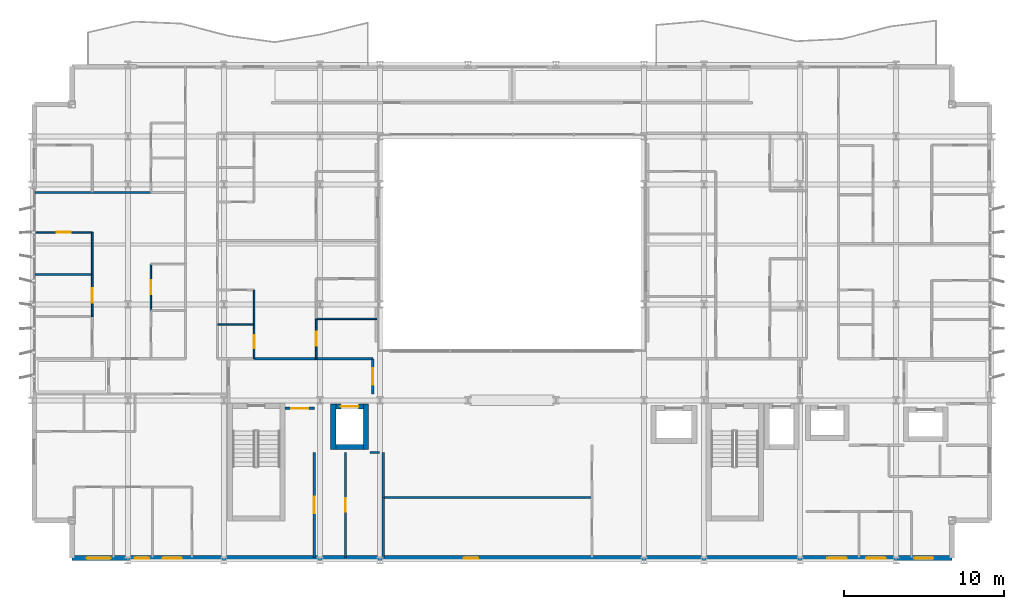
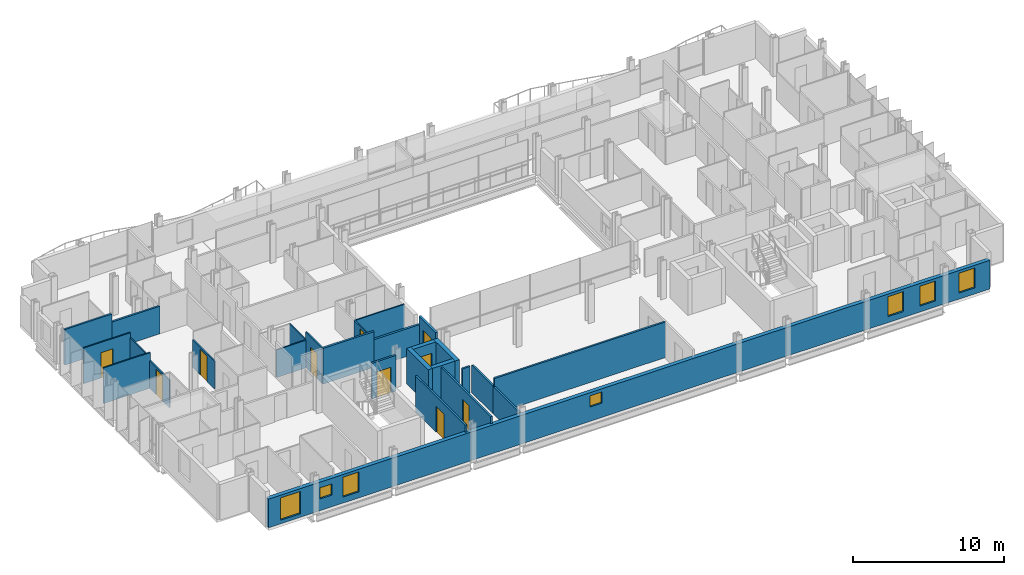
# One storey, part 28 of 38: 27 walls, 10 doors, 7 windows, 17 openings.
"""IFC4 building model written with IfcOpenShell, lengths in metres."""

from ifc_helpers import new_model, si_unit, direction, frame, frame_2d, origin, place, context, subcontext, project, spatial, rectangle, extrude, material, layer, layer_set, type_object, element, fill, save


model = new_model("IFC4")

# Units and contexts
model_context = context("Model", 3, precision=1e-05, world=origin(), true_north=direction((0.0, 1.0)))
body_context = subcontext(model_context, "Body", "Model", "MODEL_VIEW")
ifc_project = project(units=[si_unit("LENGTHUNIT", "METRE"), si_unit("AREAUNIT", "SQUARE_METRE"), si_unit("VOLUMEUNIT", "CUBIC_METRE"), si_unit("PLANEANGLEUNIT", "RADIAN"), si_unit("MASSUNIT", "GRAM", prefix="KILO")], contexts=[model_context])

# Site, building, storey
site_placement = place(None, origin())
site = spatial("IfcSite", under=ifc_project, at=site_placement, CompositionType="ELEMENT")
building_placement = place(site_placement, origin())
building = spatial("IfcBuilding", under=site, at=building_placement, Name="Brevholm Reach", CompositionType="ELEMENT")
storey_placement = place(building_placement, frame((0.0, 0.0, 46.60009765625)))
storey = spatial("IfcBuildingStorey", under=building, at=storey_placement, Name="L12", CompositionType="ELEMENT", Elevation=46.60009765625)

# Walls
ifc_material_1 = material(Name="Concrete C60/75", Category="concrete")
ifc_layer_1 = layer(ifc_material_1, 0.320068359375)
ifc_layer_set_1 = layer_set([ifc_layer_1], Name="Concrete C60/75")
wall_type_1 = type_object("IfcWallType", Name="WAL-COR-320", PredefinedType="SHEAR", material=ifc_layer_set_1)
for number, where, z_axis, x_axis, name in (
    (1, (18.830078125, 6.919921875, 0.0), (0.0, 0.0, 1.0), (0.0, 1.0, 0.0), "L12 Lift FFL-1 Shaft Wall W"),
    (2, (20.8701171875, 6.919921875, 0.0), (0.0, 0.0, 1.0), (0.0, 1.0, 0.0), "L12 Lift FFL-1 Shaft Wall E"),
):
    element("IfcWall", number, at=place(storey_placement, frame(where, z_axis=z_axis, x_axis=x_axis)), inside=storey, type_object=wall_type_1, Name=name, PredefinedType="SHEAR", context=body_context, shape_type="SweptSolid", body=[
        extrude(rectangle(XDim=2.860107421875, YDim=0.320068359375, at=frame_2d((1.43017578125, 0.0))), origin(), (0.0, 0.0, 1.0), 2.869873046875),
    ])
wall_1_placement = place(storey_placement, frame((18.989990234375, 7.080078125, 0.0), z_axis=(0.0, 0.0, 1.0), x_axis=(1.0, 0.0, 0.0)))
element("IfcWall", 3, at=wall_1_placement, inside=storey, type_object=wall_type_1, Name="L12 Lift FFL-1 Shaft Wall S", PredefinedType="SHEAR", context=body_context, shape_type="SweptSolid", body=[
    extrude(rectangle(XDim=1.719970703125, YDim=0.320068359375, at=frame_2d((0.85986328125, 0.0))), origin(), (0.0, 0.0, 1.0), 2.869873046875),
])

# Wall, opening, door
wall_2_placement = place(storey_placement, frame((18.989990234375, 9.6201171875, 0.0), z_axis=(0.0, 0.0, 1.0), x_axis=(1.0, 0.0, 0.0)))
wall_2 = element("IfcWall", 4, at=wall_2_placement, inside=storey, type_object=wall_type_1, Name="L12 Lift FFL-1 Shaft Wall N", PredefinedType="SHEAR", context=body_context, shape_type="SweptSolid", body=[
    extrude(rectangle(XDim=1.719970703125, YDim=0.320068359375, at=frame_2d((0.85986328125, 0.0))), origin(), (0.0, 0.0, 1.0), 2.869873046875),
])
opening_1_placement = place(wall_2_placement, frame((0.31005859375, 0.0, 0.0)))
opening_1 = element("IfcOpeningElement", 5, at=opening_1_placement, cuts=wall_2, Name="Opening LD-FFL-1", PredefinedType="OPENING", context=body_context, shape_type="SweptSolid", body=[
    extrude(rectangle(XDim=1.10009765625, YDim=2.06005859375, at=frame_2d((0.550048828125, 1.030029296875))), frame((0.0, 0.169921875, 0.0), z_axis=(0.0, -1.0, 0.0), x_axis=(1.0, 0.0, 0.0)), (0.0, 0.0, 1.0), 0.340087890625),
])
ifc_material_2 = material(Name="Brushed Stainless Steel Fire-Rated Sliding Lift Door", Category="steel")
door_type_1 = type_object("IfcDoorType", Name="DOR-LFT-1100", OperationType="NOTDEFINED", PredefinedType="DOOR", material=ifc_material_2)
door_1_placement = place(opening_1_placement, origin())
door_1 = element("IfcDoor", 6, at=door_1_placement, inside=storey, type_object=door_type_1, Name="L12 Lift FFL-1 Sliding Landing Door", OperationType="SLIDING_TO_RIGHT", OverallHeight=2.06005859375, OverallWidth=1.10009765625, PredefinedType="DOOR", context=body_context, shape_type="SweptSolid", body=[
    extrude(rectangle(XDim=1.10009765625, YDim=2.06005859375, at=frame_2d((0.550048828125, 1.030029296875))), frame((0.0, 0.02490234375, 0.0), z_axis=(0.0, -1.0, 0.0), x_axis=(1.0, 0.0, 0.0)), (0.0, 0.0, 1.0), 0.050048828125),
])
fill(opening_1, door_1)

# Wall, openings, windows
ifc_material_3 = material(Name="Concrete C40/50", Category="concrete")
ifc_layer_2 = layer(ifc_material_3, 0.300048828125)
ifc_layer_set_2 = layer_set([ifc_layer_2], Name="Concrete C40/50")
wall_type_2 = type_object("IfcWallType", Name="WAL-EXT-300", PredefinedType="STANDARD", material=ifc_layer_set_2)
wall_3_placement = place(storey_placement, frame((2.5, 0.14990234375, 0.0), z_axis=(0.0, 0.0, 1.0), x_axis=(1.0, 0.0, 0.0)))
wall_3 = element("IfcWall", 7, at=wall_3_placement, inside=storey, type_object=wall_type_2, Name="L12 Facade Wall WAL-L12-S", PredefinedType="STANDARD", context=body_context, shape_type="SweptSolid", body=[
    extrude(rectangle(XDim=55.0, YDim=0.300048828125, at=frame_2d((27.5, 0.0))), origin(), (0.0, 0.0, 1.0), 2.305419921875),
])
opening_2_placement = place(wall_3_placement, frame((0.919921875, 0.0, 0.285888671875)))
opening_2 = element("IfcOpeningElement", 8, at=opening_2_placement, cuts=wall_3, Name="Opening WN-05", PredefinedType="OPENING", context=body_context, shape_type="SweptSolid", body=[
    extrude(rectangle(XDim=1.5, YDim=1.800048828125, at=frame_2d((0.75, 0.89990234375))), frame((0.0, 0.159912109375, 0.0), z_axis=(0.0, -1.0, 0.0), x_axis=(1.0, 0.0, 0.0)), (0.0, 0.0, 1.0), 0.320068359375),
])
opening_3_placement = place(wall_3_placement, frame((24.5, 0.0, 1.14990234375)))
opening_3 = element("IfcOpeningElement", 9, at=opening_3_placement, cuts=wall_3, Name="Opening WN-09", PredefinedType="OPENING", context=body_context, shape_type="SweptSolid", body=[
    extrude(rectangle(XDim=0.89990234375, YDim=0.89990234375, at=frame_2d((0.449951171875, 0.449951171875))), frame((0.0, 0.159912109375, 0.0), z_axis=(0.0, -1.0, 0.0), x_axis=(1.0, 0.0, 0.0)), (0.0, 0.0, 1.0), 0.320068359375),
])
opening_4_placement = place(wall_3_placement, frame((47.199951171875, 0.0, 0.486083984375)))
opening_4 = element("IfcOpeningElement", 10, at=opening_4_placement, cuts=wall_3, Name="Opening WN-08", PredefinedType="OPENING", context=body_context, shape_type="SweptSolid", body=[
    extrude(rectangle(XDim=1.199951171875, YDim=1.60009765625, at=frame_2d((0.60009765625, 0.800048828125))), frame((0.0, 0.159912109375, 0.0), z_axis=(0.0, -1.0, 0.0), x_axis=(1.0, 0.0, 0.0)), (0.0, 0.0, 1.0), 0.320068359375),
])
opening_5_placement = place(wall_3_placement, frame((52.6298828125, 0.0, 0.486083984375)))
opening_5 = element("IfcOpeningElement", 11, at=opening_5_placement, cuts=wall_3, Name="Opening WN-08", PredefinedType="OPENING", context=body_context, shape_type="SweptSolid", body=[
    extrude(rectangle(XDim=1.199951171875, YDim=1.60009765625, at=frame_2d((0.60009765625, 0.800048828125))), frame((0.0, 0.159912109375, 0.0), z_axis=(0.0, -1.0, 0.0), x_axis=(1.0, 0.0, 0.0)), (0.0, 0.0, 1.0), 0.320068359375),
])
opening_6_placement = place(wall_3_placement, frame((3.9208984375, 0.0, 0.949951171875)))
opening_6 = element("IfcOpeningElement", 12, at=opening_6_placement, cuts=wall_3, Name="Opening WN-09", PredefinedType="OPENING", context=body_context, shape_type="SweptSolid", body=[
    extrude(rectangle(XDim=0.89990234375, YDim=0.89990234375, at=frame_2d((0.449951171875, 0.449951171875))), frame((0.0, 0.159912109375, 0.0), z_axis=(0.0, -1.0, 0.0), x_axis=(1.0, 0.0, 0.0)), (0.0, 0.0, 1.0), 0.320068359375),
])
opening_7_placement = place(wall_3_placement, frame((5.675048828125, 0.0, 0.485595703125)))
opening_7 = element("IfcOpeningElement", 13, at=opening_7_placement, cuts=wall_3, Name="Opening WN-08", PredefinedType="OPENING", context=body_context, shape_type="SweptSolid", body=[
    extrude(rectangle(XDim=1.199951171875, YDim=1.60009765625, at=frame_2d((0.60009765625, 0.800048828125))), frame((0.0, 0.159912109375, 0.0), z_axis=(0.0, -1.0, 0.0), x_axis=(1.0, 0.0, 0.0)), (0.0, 0.0, 1.0), 0.320068359375),
])
opening_8_placement = place(wall_3_placement, frame((49.6416015625, 0.0, 0.485595703125)))
opening_8 = element("IfcOpeningElement", 14, at=opening_8_placement, cuts=wall_3, Name="Opening WN-08", PredefinedType="OPENING", context=body_context, shape_type="SweptSolid", body=[
    extrude(rectangle(XDim=1.199951171875, YDim=1.60009765625, at=frame_2d((0.60009765625, 0.800048828125))), frame((0.0, 0.159912109375, 0.0), z_axis=(0.0, -1.0, 0.0), x_axis=(1.0, 0.0, 0.0)), (0.0, 0.0, 1.0), 0.320068359375),
])
ifc_material_4 = material(Name="Dark Anodised Aluminium and Solar-Control IGU Glass", Category="aluminium")
window_type_1 = type_object("IfcWindowType", Name="WIN-POR-0900", PartitioningType="SINGLE_PANEL", PredefinedType="WINDOW", material=ifc_material_4)
window_1_placement = place(opening_3_placement, origin())
window_1 = element("IfcWindow", 15, at=window_1_placement, inside=storey, type_object=window_type_1, Name="L12 Window WIN-L12-S-POR", OverallHeight=0.89990234375, OverallWidth=0.89990234375, PartitioningType="SINGLE_PANEL", PredefinedType="WINDOW", context=body_context, shape_type="SweptSolid", body=[
    extrude(rectangle(XDim=0.89990234375, YDim=0.89990234375, at=frame_2d((0.449951171875, 0.449951171875))), frame((0.0, 0.030029296875, 0.0), z_axis=(0.0, -1.0, 0.0), x_axis=(1.0, 0.0, 0.0)), (0.0, 0.0, 1.0), 0.06005859375),
])
fill(opening_3, window_1)
window_2_placement = place(opening_6_placement, origin())
window_2 = element("IfcWindow", 16, at=window_2_placement, inside=storey, type_object=window_type_1, Name="L12 Bedroom Window 008", OverallHeight=0.89990234375, OverallWidth=0.89990234375, PartitioningType="SINGLE_PANEL", PredefinedType="WINDOW", context=body_context, shape_type="SweptSolid", body=[
    extrude(rectangle(XDim=0.89990234375, YDim=0.89990234375, at=frame_2d((0.449951171875, 0.449951171875))), frame((0.0, 0.030029296875, 0.0), z_axis=(0.0, -1.0, 0.0), x_axis=(1.0, 0.0, 0.0)), (0.0, 0.0, 1.0), 0.06005859375),
])
fill(opening_6, window_2)
ifc_material_5 = material(Name="Dark Anodised Aluminium and Solar-Control IGU Glass", Category="aluminium")
window_type_2 = type_object("IfcWindowType", Name="WIN-RES-1200", PartitioningType="SINGLE_PANEL", PredefinedType="WINDOW", material=ifc_material_5)
window_3_placement = place(opening_4_placement, origin())
window_3 = element("IfcWindow", 17, at=window_3_placement, inside=storey, type_object=window_type_2, Name="L12 Window WIN-L12-S-E1", OverallHeight=1.60009765625, OverallWidth=1.199951171875, PartitioningType="SINGLE_PANEL", PredefinedType="WINDOW", context=body_context, shape_type="SweptSolid", body=[
    extrude(rectangle(XDim=1.199951171875, YDim=1.60009765625, at=frame_2d((0.60009765625, 0.800048828125))), frame((0.0, 0.030029296875, 0.0), z_axis=(0.0, -1.0, 0.0), x_axis=(1.0, 0.0, 0.0)), (0.0, 0.0, 1.0), 0.06005859375),
])
fill(opening_4, window_3)
window_4_placement = place(opening_5_placement, origin())
window_4 = element("IfcWindow", 18, at=window_4_placement, inside=storey, type_object=window_type_2, Name="L12 Window WIN-L12-S-E2", OverallHeight=1.60009765625, OverallWidth=1.199951171875, PartitioningType="SINGLE_PANEL", PredefinedType="WINDOW", context=body_context, shape_type="SweptSolid", body=[
    extrude(rectangle(XDim=1.199951171875, YDim=1.60009765625, at=frame_2d((0.60009765625, 0.800048828125))), frame((0.0, 0.030029296875, 0.0), z_axis=(0.0, -1.0, 0.0), x_axis=(1.0, 0.0, 0.0)), (0.0, 0.0, 1.0), 0.06005859375),
])
fill(opening_5, window_4)
window_5_placement = place(opening_7_placement, origin())
window_5 = element("IfcWindow", 19, at=window_5_placement, inside=storey, type_object=window_type_2, Name="L12 Bedroom Window 009", OverallHeight=1.60009765625, OverallWidth=1.199951171875, PartitioningType="SINGLE_PANEL", PredefinedType="WINDOW", context=body_context, shape_type="SweptSolid", body=[
    extrude(rectangle(XDim=1.199951171875, YDim=1.60009765625, at=frame_2d((0.60009765625, 0.800048828125))), frame((0.0, 0.030029296875, 0.0), z_axis=(0.0, -1.0, 0.0), x_axis=(1.0, 0.0, 0.0)), (0.0, 0.0, 1.0), 0.06005859375),
])
fill(opening_7, window_5)
window_6_placement = place(opening_8_placement, origin())
window_6 = element("IfcWindow", 20, at=window_6_placement, inside=storey, type_object=window_type_2, Name="L12 Bedroom Window 010", OverallHeight=1.60009765625, OverallWidth=1.199951171875, PartitioningType="SINGLE_PANEL", PredefinedType="WINDOW", context=body_context, shape_type="SweptSolid", body=[
    extrude(rectangle(XDim=1.199951171875, YDim=1.60009765625, at=frame_2d((0.60009765625, 0.800048828125))), frame((0.0, 0.030029296875, 0.0), z_axis=(0.0, -1.0, 0.0), x_axis=(1.0, 0.0, 0.0)), (0.0, 0.0, 1.0), 0.06005859375),
])
fill(opening_8, window_6)
ifc_material_6 = material(Name="Dark Anodised Aluminium and Solar-Control IGU Glass", Category="aluminium")
window_type_3 = type_object("IfcWindowType", Name="WIN-RES-1500", PartitioningType="SINGLE_PANEL", PredefinedType="WINDOW", material=ifc_material_6)
window_7_placement = place(opening_2_placement, origin())
window_7 = element("IfcWindow", 21, at=window_7_placement, inside=storey, type_object=window_type_3, Name="L12 Window WIN-L12-S-W1", OverallHeight=1.800048828125, OverallWidth=1.5, PartitioningType="SINGLE_PANEL", PredefinedType="WINDOW", context=body_context, shape_type="SweptSolid", body=[
    extrude(rectangle(XDim=1.5, YDim=1.800048828125, at=frame_2d((0.75, 0.89990234375))), frame((0.0, 0.030029296875, 0.0), z_axis=(0.0, -1.0, 0.0), x_axis=(1.0, 0.0, 0.0)), (0.0, 0.0, 1.0), 0.06005859375),
])
fill(opening_2, window_7)

# Wall, opening, door
ifc_material_7 = material(Name="Moisture-Resistant Acoustic Gypsum Stud Partition 100 mm", Category="gypsum")
ifc_layer_3 = layer(ifc_material_7, 0.10009765625)
ifc_layer_set_3 = layer_set([ifc_layer_3], Name="Moisture-Resistant Acoustic Gypsum Stud Partition 100 mm")
wall_type_3 = type_object("IfcWallType", Name="WAL-PRT-100", PredefinedType="PARTITIONING", material=ifc_layer_set_3)
wall_4_placement = place(storey_placement, frame((7.43798828125, 15.612060546875, 0.0), z_axis=(0.0, 0.0, 1.0), x_axis=(0.0, 1.0, 0.0)))
wall_4 = element("IfcWall", 22, at=wall_4_placement, inside=storey, type_object=wall_type_3, Name="L12 Internal Partition 092", PredefinedType="PARTITIONING", context=body_context, shape_type="SweptSolid", body=[
    extrude(rectangle(XDim=2.907958984375, YDim=0.10009765625, at=frame_2d((1.4541015625, 0.0))), origin(), (0.0, 0.0, 1.0), 2.224609375),
])
opening_9_placement = place(wall_4_placement, frame((1.013916015625, 0.0, 0.0)))
opening_9 = element("IfcOpeningElement", 23, at=opening_9_placement, cuts=wall_4, Name="Opening ID-01", PredefinedType="OPENING", context=body_context, shape_type="SweptSolid", body=[
    extrude(rectangle(XDim=0.8798828125, YDim=2.0400390625, at=frame_2d((0.43994140625, 1.02001953125))), frame((0.0, 0.06005859375, 0.0), z_axis=(0.0, -1.0, 0.0), x_axis=(1.0, 0.0, 0.0)), (0.0, 0.0, 1.0), 0.1201171875),
])
ifc_material_8 = material(Name="Lacquered Ash Solid-Core Acoustic Internal Door", Category="timber")
door_type_2 = type_object("IfcDoorType", Name="DOR-INT-880", OperationType="NOTDEFINED", PredefinedType="DOOR", material=ifc_material_8)
door_2_placement = place(opening_9_placement, origin())
door_2 = element("IfcDoor", 24, at=door_2_placement, inside=storey, type_object=door_type_2, Name="L12 Internal Door 032", OperationType="SINGLE_SWING_RIGHT", OverallHeight=2.0400390625, OverallWidth=0.8798828125, PredefinedType="DOOR", context=body_context, shape_type="SweptSolid", body=[
    extrude(rectangle(XDim=0.8798828125, YDim=2.0400390625, at=frame_2d((0.43994140625, 1.02001953125))), frame((0.0, 0.02490234375, 0.0), z_axis=(0.0, -1.0, 0.0), x_axis=(1.0, 0.0, 0.0)), (0.0, 0.0, 1.0), 0.050048828125),
])
fill(opening_9, door_2)

# Wall
wall_5_placement = place(storey_placement, frame((0.199951171875, 17.8701171875, 0.0), z_axis=(0.0, 0.0, 1.0), x_axis=(1.0, 0.0, 0.0)))
element("IfcWall", 25, at=wall_5_placement, inside=storey, type_object=wall_type_3, Name="L12 Internal Partition 095", PredefinedType="PARTITIONING", context=body_context, shape_type="SweptSolid", body=[
    extrude(rectangle(XDim=3.572021484375, YDim=0.10009765625, at=frame_2d((1.7861328125, 0.0))), origin(), (0.0, 0.0, 1.0), 2.869873046875),
])

# Wall, opening, door
wall_6_placement = place(storey_placement, frame((3.77197265625, 15.239013671875, 0.0), z_axis=(0.0, 0.0, 1.0), x_axis=(0.0, 1.0, 0.0)))
wall_6 = element("IfcWall", 26, at=wall_6_placement, inside=storey, type_object=wall_type_3, Name="L12 Internal Partition 096", PredefinedType="PARTITIONING", context=body_context, shape_type="SweptSolid", body=[
    extrude(rectangle(XDim=2.631103515625, YDim=0.10009765625, at=frame_2d((1.3154296875, 0.0))), origin(), (0.0, 0.0, 1.0), 2.224609375),
])
opening_10_placement = place(wall_6_placement, frame((0.87548828125, 0.0, 0.0)))
opening_10 = element("IfcOpeningElement", 27, at=opening_10_placement, cuts=wall_6, Name="Opening ID-01", PredefinedType="OPENING", context=body_context, shape_type="SweptSolid", body=[
    extrude(rectangle(XDim=0.8798828125, YDim=2.0400390625, at=frame_2d((0.43994140625, 1.02001953125))), frame((0.0, 0.06005859375, 0.0), z_axis=(0.0, -1.0, 0.0), x_axis=(1.0, 0.0, 0.0)), (0.0, 0.0, 1.0), 0.1201171875),
])
door_3_placement = place(opening_10_placement, origin())
door_3 = element("IfcDoor", 28, at=door_3_placement, inside=storey, type_object=door_type_2, Name="L12 Internal Door 034", OperationType="SINGLE_SWING_RIGHT", OverallHeight=2.0400390625, OverallWidth=0.8798828125, PredefinedType="DOOR", context=body_context, shape_type="SweptSolid", body=[
    extrude(rectangle(XDim=0.8798828125, YDim=2.0400390625, at=frame_2d((0.43994140625, 1.02001953125))), frame((0.0, 0.02490234375, 0.0), z_axis=(0.0, -1.0, 0.0), x_axis=(1.0, 0.0, 0.0)), (0.0, 0.0, 1.0), 0.050048828125),
])
fill(opening_10, door_3)

# Wall
wall_7_placement = place(storey_placement, frame((3.77197265625, 17.8740234375, 0.0), z_axis=(0.0, 0.0, 1.0), x_axis=(0.0, 1.0, 0.0)))
element("IfcWall", 29, at=wall_7_placement, inside=storey, type_object=wall_type_3, Name="L12 Internal Partition 097", PredefinedType="PARTITIONING", context=body_context, shape_type="SweptSolid", body=[
    extrude(rectangle(XDim=2.630859375, YDim=0.10009765625, at=frame_2d((1.3154296875, 0.0))), origin(), (0.0, 0.0, 1.0), 2.489990234375),
])

# Wall, opening, door
wall_8_placement = place(storey_placement, frame((0.199951171875, 20.5048828125, 0.0), z_axis=(0.0, 0.0, 1.0), x_axis=(1.0, 0.0, 0.0)))
wall_8 = element("IfcWall", 30, at=wall_8_placement, inside=storey, type_object=wall_type_3, Name="L12 Internal Partition 098", PredefinedType="PARTITIONING", context=body_context, shape_type="SweptSolid", body=[
    extrude(rectangle(XDim=3.572021484375, YDim=0.10009765625, at=frame_2d((1.7861328125, 0.0))), origin(), (0.0, 0.0, 1.0), 2.869873046875),
])
opening_11_placement = place(wall_8_placement, frame((1.345947265625, 0.0, 0.0)))
opening_11 = element("IfcOpeningElement", 31, at=opening_11_placement, cuts=wall_8, Name="Opening ID-01", PredefinedType="OPENING", context=body_context, shape_type="SweptSolid", body=[
    extrude(rectangle(XDim=0.8798828125, YDim=2.0400390625, at=frame_2d((0.43994140625, 1.02001953125))), frame((0.0, 0.06005859375, 0.0), z_axis=(0.0, -1.0, 0.0), x_axis=(1.0, 0.0, 0.0)), (0.0, 0.0, 1.0), 0.1201171875),
])
door_4_placement = place(opening_11_placement, origin())
door_4 = element("IfcDoor", 32, at=door_4_placement, inside=storey, type_object=door_type_2, Name="L12 Internal Door 035", OperationType="SINGLE_SWING_LEFT", OverallHeight=2.0400390625, OverallWidth=0.8798828125, PredefinedType="DOOR", context=body_context, shape_type="SweptSolid", body=[
    extrude(rectangle(XDim=0.8798828125, YDim=2.0400390625, at=frame_2d((0.43994140625, 1.02001953125))), frame((0.0, 0.02490234375, 0.0), z_axis=(0.0, -1.0, 0.0), x_axis=(1.0, 0.0, 0.0)), (0.0, 0.0, 1.0), 0.050048828125),
])
fill(opening_11, door_4)

# Wall
wall_9_placement = place(storey_placement, frame((11.60400390625, 14.75, 0.0), z_axis=(0.0, 0.0, 1.0), x_axis=(1.0, 0.0, 0.0)))
element("IfcWall", 33, at=wall_9_placement, inside=storey, type_object=wall_type_3, Name="L12 Internal Partition 108", PredefinedType="PARTITIONING", context=body_context, shape_type="SweptSolid", body=[
    extrude(rectangle(XDim=2.284912109375, YDim=0.10009765625, at=frame_2d((1.142578125, 0.0))), origin(), (0.0, 0.0, 1.0), 2.224609375),
])

# Wall, opening, door
wall_10_placement = place(storey_placement, frame((13.888916015625, 12.60400390625, 0.0), z_axis=(0.0, 0.0, 1.0), x_axis=(0.0, 1.0, 0.0)))
wall_10 = element("IfcWall", 34, at=wall_10_placement, inside=storey, type_object=wall_type_3, Name="L12 Internal Partition 109", PredefinedType="PARTITIONING", context=body_context, shape_type="SweptSolid", body=[
    extrude(rectangle(XDim=2.14599609375, YDim=0.10009765625, at=frame_2d((1.072998046875, 0.0))), origin(), (0.0, 0.0, 1.0), 2.869873046875),
])
opening_12_placement = place(wall_10_placement, frame((0.6630859375, 0.0, 0.0)))
opening_12 = element("IfcOpeningElement", 35, at=opening_12_placement, cuts=wall_10, Name="Opening ID-03", PredefinedType="OPENING", context=body_context, shape_type="SweptSolid", body=[
    extrude(rectangle(XDim=0.820068359375, YDim=2.02001953125, at=frame_2d((0.41015625, 1.010009765625))), frame((0.0, 0.06005859375, 0.0), z_axis=(0.0, -1.0, 0.0), x_axis=(1.0, 0.0, 0.0)), (0.0, 0.0, 1.0), 0.1201171875),
])
ifc_material_9 = material(Name="Moisture-Resistant Painted Timber Internal Bathroom Door", Category="wood")
door_type_3 = type_object("IfcDoorType", Name="DOR-BATH-820", OperationType="NOTDEFINED", PredefinedType="DOOR", material=ifc_material_9)
door_5_placement = place(opening_12_placement, origin())
door_5 = element("IfcDoor", 36, at=door_5_placement, inside=storey, type_object=door_type_3, Name="L12 Internal Door 039", OperationType="SINGLE_SWING_LEFT", OverallHeight=2.02001953125, OverallWidth=0.820068359375, PredefinedType="DOOR", context=body_context, shape_type="SweptSolid", body=[
    extrude(rectangle(XDim=0.820068359375, YDim=2.02001953125, at=frame_2d((0.41015625, 1.010009765625))), frame((0.0, 0.02490234375, 0.0), z_axis=(0.0, -1.0, 0.0), x_axis=(1.0, 0.0, 0.0)), (0.0, 0.0, 1.0), 0.050048828125),
])
fill(opening_12, door_5)

# Walls
wall_11_placement = place(storey_placement, frame((13.888916015625, 14.75390625, 0.0), z_axis=(0.0, 0.0, 1.0), x_axis=(0.0, 1.0, 0.0)))
element("IfcWall", 37, at=wall_11_placement, inside=storey, type_object=wall_type_3, Name="L12 Internal Partition 110", PredefinedType="PARTITIONING", context=body_context, shape_type="SweptSolid", body=[
    extrude(rectangle(XDim=2.14599609375, YDim=0.10009765625, at=frame_2d((1.072998046875, 0.0))), origin(), (0.0, 0.0, 1.0), 2.224609375),
])
wall_12_placement = place(storey_placement, frame((17.76904296875, 15.10009765625, 0.0), z_axis=(0.0, 0.0, 1.0), x_axis=(1.0, 0.0, 0.0)))
element("IfcWall", 38, at=wall_12_placement, inside=storey, type_object=wall_type_3, Name="L12 Internal Partition 112", PredefinedType="PARTITIONING", context=body_context, shape_type="SweptSolid", body=[
    extrude(rectangle(XDim=3.781005859375, YDim=0.10009765625, at=frame_2d((1.890625, 0.0))), origin(), (0.0, 0.0, 1.0), 2.224609375),
])

# Wall, opening, door
wall_13_placement = place(storey_placement, frame((17.76904296875, 12.60400390625, 0.0), z_axis=(0.0, 0.0, 1.0), x_axis=(0.0, 1.0, 0.0)))
wall_13 = element("IfcWall", 39, at=wall_13_placement, inside=storey, type_object=wall_type_3, Name="L12 Internal Partition 113", PredefinedType="PARTITIONING", context=body_context, shape_type="SweptSolid", body=[
    extrude(rectangle(XDim=2.49609375, YDim=0.10009765625, at=frame_2d((1.248046875, 0.0))), origin(), (0.0, 0.0, 1.0), 2.224609375),
])
opening_13_placement = place(wall_13_placement, frame((0.80810546875, 0.0, 0.0)))
opening_13 = element("IfcOpeningElement", 40, at=opening_13_placement, cuts=wall_13, Name="Opening ID-01", PredefinedType="OPENING", context=body_context, shape_type="SweptSolid", body=[
    extrude(rectangle(XDim=0.8798828125, YDim=2.0400390625, at=frame_2d((0.43994140625, 1.02001953125))), frame((0.0, 0.06005859375, 0.0), z_axis=(0.0, -1.0, 0.0), x_axis=(1.0, 0.0, 0.0)), (0.0, 0.0, 1.0), 0.1201171875),
])
door_6_placement = place(opening_13_placement, origin())
door_6 = element("IfcDoor", 41, at=door_6_placement, inside=storey, type_object=door_type_2, Name="L12 Internal Door 041", OperationType="SINGLE_SWING_LEFT", OverallHeight=2.0400390625, OverallWidth=0.8798828125, PredefinedType="DOOR", context=body_context, shape_type="SweptSolid", body=[
    extrude(rectangle(XDim=0.8798828125, YDim=2.0400390625, at=frame_2d((0.43994140625, 1.02001953125))), frame((0.0, 0.02490234375, 0.0), z_axis=(0.0, -1.0, 0.0), x_axis=(1.0, 0.0, 0.0)), (0.0, 0.0, 1.0), 0.050048828125),
])
fill(opening_13, door_6)

# Walls
ifc_material_10 = material(Name="Twin-Stud Acoustic Fire-Rated Gypsum Partition 140 mm", Category="gypsum")
ifc_layer_4 = layer(ifc_material_10, 0.139892578125)
ifc_layer_set_4 = layer_set([ifc_layer_4], Name="Twin-Stud Acoustic Fire-Rated Gypsum Partition 140 mm")
wall_type_4 = type_object("IfcWallType", Name="WAL-PRT-140", PredefinedType="PARTITIONING", material=ifc_layer_set_4)
wall_14_placement = place(storey_placement, frame((21.949951171875, 3.93994140625, 0.0), z_axis=(0.0, 0.0, 1.0), x_axis=(1.0, 0.0, 0.0)))
element("IfcWall", 42, at=wall_14_placement, inside=storey, type_object=wall_type_4, Name="L12 Internal Partition 003", PredefinedType="PARTITIONING", context=body_context, shape_type="SweptSolid", body=[
    extrude(rectangle(XDim=13.046142578125, YDim=0.139892578125, at=frame_2d((6.52294921875, 0.0))), origin(), (0.0, 0.0, 1.0), 2.869873046875),
])
wall_15_placement = place(storey_placement, frame((21.949951171875, 0.179931640625, 0.0), z_axis=(0.0, 0.0, 1.0), x_axis=(0.0, 1.0, 0.0)))
element("IfcWall", 43, at=wall_15_placement, inside=storey, type_object=wall_type_4, Name="L12 Internal Partition 004", PredefinedType="PARTITIONING", context=body_context, shape_type="SweptSolid", body=[
    extrude(rectangle(XDim=3.760009765625, YDim=0.139892578125, at=frame_2d((1.8798828125, 0.0))), origin(), (0.0, 0.0, 1.0), 2.224609375),
])
wall_16_placement = place(storey_placement, frame((21.949951171875, 3.944091796875, 0.0), z_axis=(0.0, 0.0, 1.0), x_axis=(0.0, 1.0, 0.0)))
element("IfcWall", 44, at=wall_16_placement, inside=storey, type_object=wall_type_4, Name="L12 Internal Partition 005", PredefinedType="PARTITIONING", context=body_context, shape_type="SweptSolid", body=[
    extrude(rectangle(XDim=2.817138671875, YDim=0.139892578125, at=frame_2d((1.40869140625, 0.0))), origin(), (0.0, 0.0, 1.0), 2.224609375),
])

# Wall, opening, door
wall_17_placement = place(storey_placement, frame((17.64990234375, 0.179931640625, 0.0), z_axis=(0.0, 0.0, 1.0), x_axis=(0.0, 1.0, 0.0)))
wall_17 = element("IfcWall", 45, at=wall_17_placement, inside=storey, type_object=wall_type_4, Name="L12 Internal Partition 006", PredefinedType="PARTITIONING", context=body_context, shape_type="SweptSolid", body=[
    extrude(rectangle(XDim=6.581298828125, YDim=0.139892578125, at=frame_2d((3.29052734375, 0.0))), origin(), (0.0, 0.0, 1.0), 2.869873046875),
])
opening_14_placement = place(wall_17_placement, frame((2.765625, 0.0, 0.0)))
opening_14 = element("IfcOpeningElement", 46, at=opening_14_placement, cuts=wall_17, Name="Opening FD-01", PredefinedType="OPENING", context=body_context, shape_type="SweptSolid", body=[
    extrude(rectangle(XDim=1.050048828125, YDim=2.06005859375, at=frame_2d((0.52490234375, 1.030029296875))), frame((0.0, 0.079833984375, 0.0), z_axis=(0.0, -1.0, 0.0), x_axis=(1.0, 0.0, 0.0)), (0.0, 0.0, 1.0), 0.159912109375),
])
ifc_material_11 = material(Name="Hardwood-Lipped Steel-Core Fire and Smoke Door", Category="steel")
door_type_4 = type_object("IfcDoorType", Name="DOR-INT-FD60S", OperationType="NOTDEFINED", PredefinedType="DOOR", material=ifc_material_11)
door_7_placement = place(opening_14_placement, origin())
door_7 = element("IfcDoor", 47, at=door_7_placement, inside=storey, type_object=door_type_4, Name="L12 Internal Door 003", OperationType="SINGLE_SWING_LEFT", OverallHeight=2.06005859375, OverallWidth=1.050048828125, PredefinedType="DOOR", context=body_context, shape_type="SweptSolid", body=[
    extrude(rectangle(XDim=1.050048828125, YDim=2.06005859375, at=frame_2d((0.52490234375, 1.030029296875))), frame((0.0, 0.02490234375, 0.0), z_axis=(0.0, -1.0, 0.0), x_axis=(1.0, 0.0, 0.0)), (0.0, 0.0, 1.0), 0.050048828125),
])
fill(opening_14, door_7)

wall_18_placement = place(storey_placement, frame((19.60009765625, 0.179931640625, 0.0), z_axis=(0.0, 0.0, 1.0), x_axis=(0.0, 1.0, 0.0)))
wall_18 = element("IfcWall", 48, at=wall_18_placement, inside=storey, type_object=wall_type_4, Name="L12 Internal Partition 008", PredefinedType="PARTITIONING", context=body_context, shape_type="SweptSolid", body=[
    extrude(rectangle(XDim=6.570068359375, YDim=0.139892578125, at=frame_2d((3.28515625, 0.0))), origin(), (0.0, 0.0, 1.0), 2.869873046875),
])
opening_15_placement = place(wall_18_placement, frame((2.875, 0.0, 0.0)))
opening_15 = element("IfcOpeningElement", 49, at=opening_15_placement, cuts=wall_18, Name="Opening ID-02", PredefinedType="OPENING", context=body_context, shape_type="SweptSolid", body=[
    extrude(rectangle(XDim=0.820068359375, YDim=2.02001953125, at=frame_2d((0.41015625, 1.010009765625))), frame((0.0, 0.079833984375, 0.0), z_axis=(0.0, -1.0, 0.0), x_axis=(1.0, 0.0, 0.0)), (0.0, 0.0, 1.0), 0.159912109375),
])
ifc_material_12 = material(Name="Moisture-Resistant Painted Timber Fire-Rated Riser and Service Door", Category="wood")
door_type_5 = type_object("IfcDoorType", Name="DOR-SRV-820", OperationType="NOTDEFINED", PredefinedType="DOOR", material=ifc_material_12)
door_8_placement = place(opening_15_placement, origin())
door_8 = element("IfcDoor", 50, at=door_8_placement, inside=storey, type_object=door_type_5, Name="L12 Access Door 060", OperationType="SINGLE_SWING_RIGHT", OverallHeight=2.02001953125, OverallWidth=0.820068359375, PredefinedType="DOOR", context=body_context, shape_type="SweptSolid", body=[
    extrude(rectangle(XDim=0.820068359375, YDim=2.02001953125, at=frame_2d((0.41015625, 1.010009765625))), frame((0.0, 0.02490234375, 0.0), z_axis=(0.0, -1.0, 0.0), x_axis=(1.0, 0.0, 0.0)), (0.0, 0.0, 1.0), 0.050048828125),
])
fill(opening_15, door_8)

# Walls
wall_19_placement = place(storey_placement, frame((0.199951171875, 23.0, 0.0), z_axis=(0.0, 0.0, 1.0), x_axis=(1.0, 0.0, 0.0)))
element("IfcWall", 51, at=wall_19_placement, inside=storey, type_object=wall_type_4, Name="L12 Internal Partition 100", PredefinedType="PARTITIONING", context=body_context, shape_type="SweptSolid", body=[
    extrude(rectangle(XDim=3.583251953125, YDim=0.139892578125, at=frame_2d((1.79150390625, 0.0))), origin(), (0.0, 0.0, 1.0), 2.869873046875),
])
wall_20_placement = place(storey_placement, frame((3.7646484375, 23.0, 0.0), z_axis=(0.0, 0.0, 1.0), x_axis=(1.0, 0.0, 0.0)))
element("IfcWall", 52, at=wall_20_placement, inside=storey, type_object=wall_type_4, Name="L12 Internal Partition 101", PredefinedType="PARTITIONING", context=body_context, shape_type="SweptSolid", body=[
    extrude(rectangle(XDim=3.6806640625, YDim=0.139892578125, at=frame_2d((1.84033203125, 0.0))), origin(), (0.0, 0.0, 1.0), 2.224609375),
])
wall_21_placement = place(storey_placement, frame((21.12158203125, 6.75, 0.0), z_axis=(0.0, 0.0, 1.0), x_axis=(1.0, 0.0, 0.0)))
element("IfcWall", 53, at=wall_21_placement, inside=storey, type_object=wall_type_4, Name="L12 Internal Partition 156", PredefinedType="PARTITIONING", context=body_context, shape_type="SweptSolid", body=[
    extrude(rectangle(XDim=0.58837890625, YDim=0.139892578125, at=frame_2d((0.294189453125, 0.0))), origin(), (0.0, 0.0, 1.0), 2.224609375),
])

# Wall, opening, door
ifc_material_13 = material(Name="Twin-Frame Fire-Rated Gypsum Board and Mineral Wool 160 mm", Category="gypsum")
ifc_layer_5 = layer(ifc_material_13, 0.159912109375)
ifc_layer_set_5 = layer_set([ifc_layer_5], Name="Twin-Frame Fire-Rated Gypsum Board and Mineral Wool 160 mm")
wall_type_5 = type_object("IfcWallType", Name="WAL-PRT-160", PredefinedType="PARTITIONING", material=ifc_layer_set_5)
wall_22_placement = place(storey_placement, frame((15.830078125, 9.5, 0.0), z_axis=(0.0, 0.0, 1.0), x_axis=(1.0, 0.0, 0.0)))
wall_22 = element("IfcWall", 54, at=wall_22_placement, inside=storey, type_object=wall_type_5, Name="L12 Internal Partition 007", PredefinedType="PARTITIONING", context=body_context, shape_type="SweptSolid", body=[
    extrude(rectangle(XDim=1.81982421875, YDim=0.159912109375, at=frame_2d((0.909912109375, 0.0))), origin(), (0.0, 0.0, 1.0), 2.869873046875),
])
opening_16_placement = place(wall_22_placement, frame((0.385009765625, 0.0, 0.0)))
opening_16 = element("IfcOpeningElement", 55, at=opening_16_placement, cuts=wall_22, Name="Opening FD-01", PredefinedType="OPENING", context=body_context, shape_type="SweptSolid", body=[
    extrude(rectangle(XDim=1.050048828125, YDim=2.06005859375, at=frame_2d((0.52490234375, 1.030029296875))), frame((0.0, 0.08984375, 0.0), z_axis=(0.0, -1.0, 0.0), x_axis=(1.0, 0.0, 0.0)), (0.0, 0.0, 1.0), 0.179931640625),
])
door_9_placement = place(opening_16_placement, origin())
door_9 = element("IfcDoor", 56, at=door_9_placement, inside=storey, type_object=door_type_4, Name="L12 Internal Door 004", OperationType="SINGLE_SWING_RIGHT", OverallHeight=2.06005859375, OverallWidth=1.050048828125, PredefinedType="DOOR", context=body_context, shape_type="SweptSolid", body=[
    extrude(rectangle(XDim=1.050048828125, YDim=2.06005859375, at=frame_2d((0.52490234375, 1.030029296875))), frame((0.0, 0.02490234375, 0.0), z_axis=(0.0, -1.0, 0.0), x_axis=(1.0, 0.0, 0.0)), (0.0, 0.0, 1.0), 0.050048828125),
])
fill(opening_16, door_9)

wall_23_placement = place(storey_placement, frame((21.300048828125, 10.388671875, 0.0), z_axis=(0.0, 0.0, 1.0), x_axis=(0.0, 1.0, 0.0)))
wall_23 = element("IfcWall", 57, at=wall_23_placement, inside=storey, type_object=wall_type_5, Name="L12 Internal Partition 015", PredefinedType="PARTITIONING", context=body_context, shape_type="SweptSolid", body=[
    extrude(rectangle(XDim=2.21142578125, YDim=0.159912109375, at=frame_2d((1.105712890625, 0.0))), origin(), (0.0, 0.0, 1.0), 2.869873046875),
])
opening_17_placement = place(wall_23_placement, frame((0.58056640625, 0.0, 0.0)))
opening_17 = element("IfcOpeningElement", 58, at=opening_17_placement, cuts=wall_23, Name="Opening FD-01", PredefinedType="OPENING", context=body_context, shape_type="SweptSolid", body=[
    extrude(rectangle(XDim=1.050048828125, YDim=2.06005859375, at=frame_2d((0.52490234375, 1.030029296875))), frame((0.0, 0.08984375, 0.0), z_axis=(0.0, -1.0, 0.0), x_axis=(1.0, 0.0, 0.0)), (0.0, 0.0, 1.0), 0.179931640625),
])
door_10_placement = place(opening_17_placement, origin())
door_10 = element("IfcDoor", 59, at=door_10_placement, inside=storey, type_object=door_type_4, Name="L12 Internal Door 009", OperationType="SINGLE_SWING_LEFT", OverallHeight=2.06005859375, OverallWidth=1.050048828125, PredefinedType="DOOR", context=body_context, shape_type="SweptSolid", body=[
    extrude(rectangle(XDim=1.050048828125, YDim=2.06005859375, at=frame_2d((0.52490234375, 1.030029296875))), frame((0.0, 0.02490234375, 0.0), z_axis=(0.0, -1.0, 0.0), x_axis=(1.0, 0.0, 0.0)), (0.0, 0.0, 1.0), 0.050048828125),
])
fill(opening_17, door_10)

# Walls
wall_24_placement = place(storey_placement, frame((17.7578125, 12.60009765625, 0.0), z_axis=(0.0, 0.0, 1.0), x_axis=(1.0, 0.0, 0.0)))
element("IfcWall", 60, at=wall_24_placement, inside=storey, type_object=wall_type_5, Name="L12 Internal Partition 018", PredefinedType="PARTITIONING", context=body_context, shape_type="SweptSolid", body=[
    extrude(rectangle(XDim=3.542236328125, YDim=0.159912109375, at=frame_2d((1.77099609375, 0.0))), origin(), (0.0, 0.0, 1.0), 2.224609375),
])
wall_25_placement = place(storey_placement, frame((13.881591796875, 12.60009765625, 0.0), z_axis=(0.0, 0.0, 1.0), x_axis=(1.0, 0.0, 0.0)))
element("IfcWall", 61, at=wall_25_placement, inside=storey, type_object=wall_type_5, Name="L12 Internal Partition 019", PredefinedType="PARTITIONING", context=body_context, shape_type="SweptSolid", body=[
    extrude(rectangle(XDim=3.894775390625, YDim=0.159912109375, at=frame_2d((1.947265625, 0.0))), origin(), (0.0, 0.0, 1.0), 2.869873046875),
])

save(model, "model.ifc")
